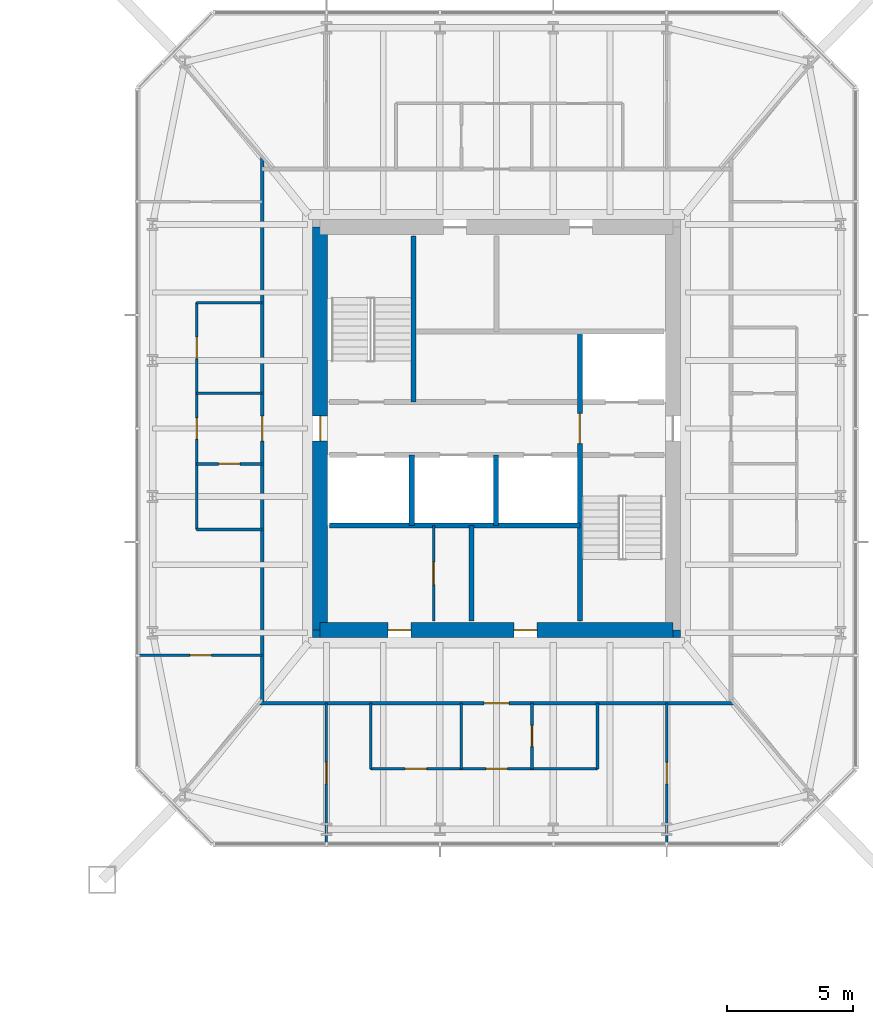
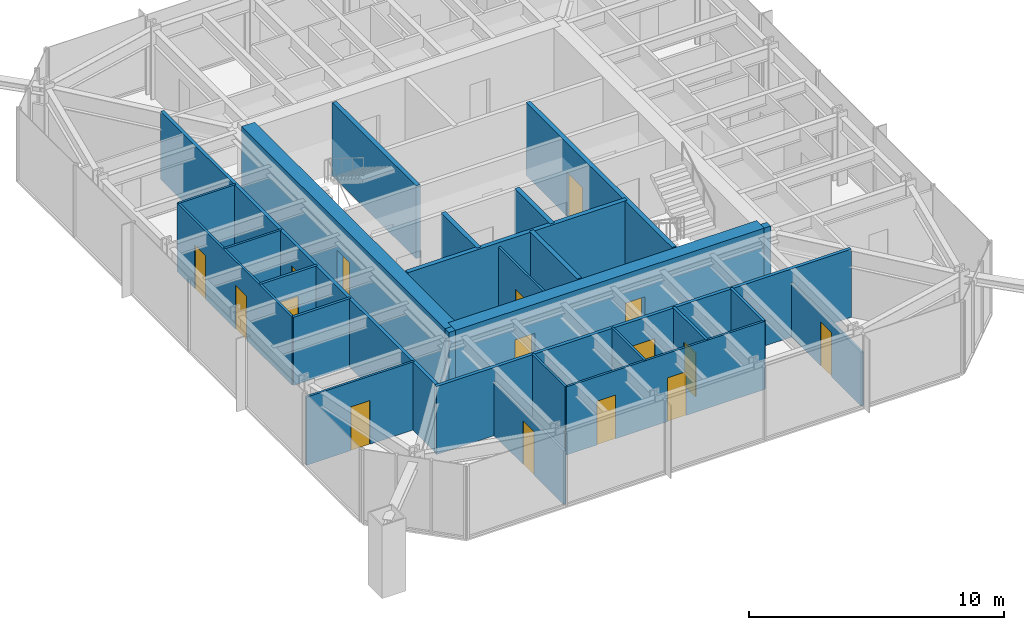
# One storey, part 17 of 25: 26 walls, 16 doors, 16 openings.
"""IFC4 building model written with IfcOpenShell, lengths in metres."""

from ifc_helpers import new_model, si_unit, direction, frame, frame_2d, origin, place, context, subcontext, project, spatial, rectangle, extrude, material, layer, layer_set, type_object, element, fill, save


model = new_model("IFC4")

# Units and contexts
model_context = context("Model", 3, precision=1e-05, world=origin(), true_north=direction((0.0, 1.0)))
body_context = subcontext(model_context, "Body", "Model", "MODEL_VIEW")
ifc_project = project(units=[si_unit("LENGTHUNIT", "METRE"), si_unit("AREAUNIT", "SQUARE_METRE"), si_unit("VOLUMEUNIT", "CUBIC_METRE"), si_unit("PLANEANGLEUNIT", "RADIAN"), si_unit("MASSUNIT", "GRAM", prefix="KILO")], contexts=[model_context])

# Site, building, storey
site_placement = place(None, origin())
site = spatial("IfcSite", under=ifc_project, at=site_placement, CompositionType="ELEMENT")
building_placement = place(site_placement, origin())
building = spatial("IfcBuilding", under=site, at=building_placement, Name="Iwan Alto Co-Living Towers", CompositionType="ELEMENT")
storey_placement = place(building_placement, frame((0.0, 0.0, 119.0)))
storey = spatial("IfcBuildingStorey", under=building, at=storey_placement, Name="L32", CompositionType="ELEMENT", Elevation=119.0)

# Wall, opening, door
ifc_material_1 = material(Name="Gypsum board")
ifc_layer_1 = layer(ifc_material_1, 0.02490234375, Name="Board", Category="Finish")
ifc_material_2 = material(Name="Steel ASTM A1003 ST33H cold-formed studs", Category="steel")
ifc_layer_2 = layer(ifc_material_2, 0.10009765625, Name="Studs", Category="Framing")
ifc_layer_3 = layer(ifc_material_1, 0.02490234375, Name="Board", Category="Finish")
ifc_layer_set_1 = layer_set([ifc_layer_1, ifc_layer_2, ifc_layer_3], Name="CORRIDOR WALL 150")
wall_type_1 = type_object("IfcWallType", Name="CORRIDOR WALL 150", PredefinedType="PARTITIONING", material=ifc_layer_set_1)
wall_1_placement = place(storey_placement, frame((53.5859375, -10.89990234375, 0.0), z_axis=(0.0, 0.0, 1.0), x_axis=(1.0, 0.0, 0.0)))
wall_1 = element("IfcWall", 1, at=wall_1_placement, inside=storey, type_object=wall_type_1, Name="Partition L32", PredefinedType="PARTITIONING", context=body_context, shape_type="SweptSolid", body=[
    extrude(rectangle(XDim=18.828125, YDim=0.14990234375, at=frame_2d((9.4140625, 0.0))), origin(), (0.0, 0.0, 1.0), 3.27001953125),
])
opening_1_placement = place(wall_1_placement, frame((8.9140625, 0.0, 0.0)))
opening_1 = element("IfcOpeningElement", 2, at=opening_1_placement, cuts=wall_1, Name="Opening D3", PredefinedType="OPENING", context=body_context, shape_type="SweptSolid", body=[
    extrude(rectangle(XDim=1.0, YDim=2.10009765625, at=frame_2d((0.5, 1.050048828125))), frame((0.0, 0.0849609375, 0.0), z_axis=(0.0, -1.0, 0.0), x_axis=(1.0, 0.0, 0.0)), (0.0, 0.0, 1.0), 0.169921875),
])
ifc_material_3 = material(Name="Steel frame with timber leaf", Category="steel")
door_type_1 = type_object("IfcDoorType", Name="FLAT ENTRANCE DOOR FD30S 1000X2100", OperationType="SINGLE_SWING_LEFT", PredefinedType="DOOR", material=ifc_material_3)
door_1_placement = place(opening_1_placement, frame((1.0, 0.0, 0.0), z_axis=(0.0, 0.0, 1.0), x_axis=(-1.0, 0.0, 0.0)))
door_1 = element("IfcDoor", 3, at=door_1_placement, inside=storey, type_object=door_type_1, Name="Apartment foyer door L32", OperationType="SINGLE_SWING_RIGHT", OverallHeight=2.10009765625, OverallWidth=1.0, PredefinedType="DOOR", context=body_context, shape_type="SweptSolid", body=[
    extrude(rectangle(XDim=1.0, YDim=2.10009765625, at=frame_2d((0.5, 1.050048828125))), frame((0.0, 0.02490234375, 0.0), z_axis=(0.0, -1.0, 0.0), x_axis=(1.0, 0.0, 0.0)), (0.0, 0.0, 1.0), 0.050048828125),
])
fill(opening_1, door_1)

wall_2_placement = place(storey_placement, frame((53.699951171875, -10.89990234375, 0.0), z_axis=(0.0, 0.0, 1.0), x_axis=(0.0, 1.0, 0.0)))
wall_2 = element("IfcWall", 4, at=wall_2_placement, inside=storey, type_object=wall_type_1, Name="Partition L32", PredefinedType="PARTITIONING", context=body_context, shape_type="SweptSolid", body=[
    extrude(rectangle(XDim=21.66796875, YDim=0.14990234375, at=frame_2d((10.833984375, 0.0))), origin(), (0.0, 0.0, 1.0), 3.27001953125),
])
opening_2_placement = place(wall_2_placement, frame((10.39990234375, 0.0, 0.0)))
opening_2 = element("IfcOpeningElement", 5, at=opening_2_placement, cuts=wall_2, Name="Opening D3", PredefinedType="OPENING", context=body_context, shape_type="SweptSolid", body=[
    extrude(rectangle(XDim=1.0, YDim=2.10009765625, at=frame_2d((0.5, 1.050048828125))), frame((0.0, 0.0849609375, 0.0), z_axis=(0.0, -1.0, 0.0), x_axis=(1.0, 0.0, 0.0)), (0.0, 0.0, 1.0), 0.169921875),
])
door_2_placement = place(opening_2_placement, origin())
door_2 = element("IfcDoor", 6, at=door_2_placement, inside=storey, type_object=door_type_1, Name="Apartment foyer door L32", OperationType="SINGLE_SWING_LEFT", OverallHeight=2.10009765625, OverallWidth=1.0, PredefinedType="DOOR", context=body_context, shape_type="SweptSolid", body=[
    extrude(rectangle(XDim=1.0, YDim=2.10009765625, at=frame_2d((0.5, 1.050048828125))), frame((0.0, 0.02490234375, 0.0), z_axis=(0.0, -1.0, 0.0), x_axis=(1.0, 0.0, 0.0)), (0.0, 0.0, 1.0), 0.050048828125),
])
fill(opening_2, door_2)

# Wall, openings, doors
ifc_layer_4 = layer(ifc_material_1, 0.012451171875, Name="Board", Category="Finish")
ifc_layer_5 = layer(ifc_material_2, 0.074951171875, Name="Studs", Category="Framing")
ifc_layer_6 = layer(ifc_material_1, 0.012451171875, Name="Board", Category="Finish")
ifc_layer_set_2 = layer_set([ifc_layer_4, ifc_layer_5, ifc_layer_6], Name="PARTITION 100")
wall_type_2 = type_object("IfcWallType", Name="PARTITION 100", PredefinedType="PARTITIONING", material=ifc_layer_set_2)
wall_3_placement = place(storey_placement, frame((58.0, -13.5, 0.0), z_axis=(0.0, 0.0, 1.0), x_axis=(1.0, 0.0, 0.0)))
wall_3 = element("IfcWall", 7, at=wall_3_placement, inside=storey, type_object=wall_type_2, Name="Partition L32", PredefinedType="PARTITIONING", context=body_context, shape_type="SweptSolid", body=[
    extrude(rectangle(XDim=9.0, YDim=0.10009765625, at=frame_2d((4.5, 0.0))), origin(), (0.0, 0.0, 1.0), 3.27001953125),
])
opening_3_placement = place(wall_3_placement, frame((1.375, 0.0, 0.0)))
opening_3 = element("IfcOpeningElement", 8, at=opening_3_placement, cuts=wall_3, Name="Opening D2", PredefinedType="OPENING", context=body_context, shape_type="SweptSolid", body=[
    extrude(rectangle(XDim=0.85009765625, YDim=2.10009765625, at=frame_2d((0.425048828125, 1.050048828125))), frame((0.0, 0.06005859375, 0.0), z_axis=(0.0, -1.0, 0.0), x_axis=(1.0, 0.0, 0.0)), (0.0, 0.0, 1.0), 0.1201171875),
])
opening_4_placement = place(wall_3_placement, frame((4.574951171875, 0.0, 0.0)))
opening_4 = element("IfcOpeningElement", 9, at=opening_4_placement, cuts=wall_3, Name="Opening D2", PredefinedType="OPENING", context=body_context, shape_type="SweptSolid", body=[
    extrude(rectangle(XDim=0.85009765625, YDim=2.10009765625, at=frame_2d((0.425048828125, 1.050048828125))), frame((0.0, 0.06005859375, 0.0), z_axis=(0.0, -1.0, 0.0), x_axis=(1.0, 0.0, 0.0)), (0.0, 0.0, 1.0), 0.1201171875),
])
ifc_material_4 = material(Name="Timber leaf in steel frame", Category="steel")
door_type_2 = type_object("IfcDoorType", Name="ROOM DOOR 850X2100", OperationType="SINGLE_SWING_LEFT", PredefinedType="DOOR", material=ifc_material_4)
door_3_placement = place(opening_3_placement, frame((0.85009765625, 0.0, 0.0), z_axis=(0.0, 0.0, 1.0), x_axis=(-1.0, 0.0, 0.0)))
door_3 = element("IfcDoor", 10, at=door_3_placement, inside=storey, type_object=door_type_2, Name="Kitchen door L32", OperationType="SINGLE_SWING_RIGHT", OverallHeight=2.10009765625, OverallWidth=0.85009765625, PredefinedType="DOOR", context=body_context, shape_type="SweptSolid", body=[
    extrude(rectangle(XDim=0.85009765625, YDim=2.10009765625, at=frame_2d((0.425048828125, 1.050048828125))), frame((0.0, 0.02490234375, 0.0), z_axis=(0.0, -1.0, 0.0), x_axis=(1.0, 0.0, 0.0)), (0.0, 0.0, 1.0), 0.050048828125),
])
fill(opening_3, door_3)
door_4_placement = place(opening_4_placement, frame((0.85009765625, 0.0, 0.0), z_axis=(0.0, 0.0, 1.0), x_axis=(-1.0, 0.0, 0.0)))
door_4 = element("IfcDoor", 11, at=door_4_placement, inside=storey, type_object=door_type_2, Name="Apartment foyer door L32", OperationType="SINGLE_SWING_RIGHT", OverallHeight=2.10009765625, OverallWidth=0.85009765625, PredefinedType="DOOR", context=body_context, shape_type="SweptSolid", body=[
    extrude(rectangle(XDim=0.85009765625, YDim=2.10009765625, at=frame_2d((0.425048828125, 1.050048828125))), frame((0.0, 0.02490234375, 0.0), z_axis=(0.0, -1.0, 0.0), x_axis=(1.0, 0.0, 0.0)), (0.0, 0.0, 1.0), 0.050048828125),
])
fill(opening_4, door_4)

# Wall, opening, door
wall_4_placement = place(storey_placement, frame((48.81005859375, -9.0, 0.0), z_axis=(0.0, 0.0, 1.0), x_axis=(1.0, 0.0, 0.0)))
wall_4 = element("IfcWall", 12, at=wall_4_placement, inside=storey, type_object=wall_type_2, Name="Partition L32", PredefinedType="PARTITIONING", context=body_context, shape_type="SweptSolid", body=[
    extrude(rectangle(XDim=4.889892578125, YDim=0.10009765625, at=frame_2d((2.44482421875, 0.0))), origin(), (0.0, 0.0, 1.0), 3.27001953125),
])
opening_5_placement = place(wall_4_placement, frame((2.02001953125, 0.0, 0.0)))
opening_5 = element("IfcOpeningElement", 13, at=opening_5_placement, cuts=wall_4, Name="Opening D2", PredefinedType="OPENING", context=body_context, shape_type="SweptSolid", body=[
    extrude(rectangle(XDim=0.85009765625, YDim=2.10009765625, at=frame_2d((0.425048828125, 1.050048828125))), frame((0.0, 0.06005859375, 0.0), z_axis=(0.0, -1.0, 0.0), x_axis=(1.0, 0.0, 0.0)), (0.0, 0.0, 1.0), 0.1201171875),
])
door_5_placement = place(opening_5_placement, origin())
door_5 = element("IfcDoor", 14, at=door_5_placement, inside=storey, type_object=door_type_2, Name="Study door L32", OperationType="SINGLE_SWING_RIGHT", OverallHeight=2.10009765625, OverallWidth=0.85009765625, PredefinedType="DOOR", context=body_context, shape_type="SweptSolid", body=[
    extrude(rectangle(XDim=0.85009765625, YDim=2.10009765625, at=frame_2d((0.425048828125, 1.050048828125))), frame((0.0, 0.02490234375, 0.0), z_axis=(0.0, -1.0, 0.0), x_axis=(1.0, 0.0, 0.0)), (0.0, 0.0, 1.0), 0.050048828125),
])
fill(opening_5, door_5)

# Walls
for number, where, z_axis, x_axis, name in (
    (15, (51.10009765625, 1.39990234375, 0.0), (0.0, 0.0, 1.0), (1.0, 0.0, 0.0), "Partition L32"),
    (16, (51.10009765625, 5.0, 0.0), (0.0, 0.0, 1.0), (1.0, 0.0, 0.0), "Partition L32"),
):
    element("IfcWall", number, at=place(storey_placement, frame(where, z_axis=z_axis, x_axis=x_axis)), inside=storey, type_object=wall_type_2, Name=name, PredefinedType="PARTITIONING", context=body_context, shape_type="SweptSolid", body=[
        extrude(rectangle(XDim=2.599853515625, YDim=0.10009765625, at=frame_2d((1.2998046875, 0.0))), origin(), (0.0, 0.0, 1.0), 3.27001953125),
    ])

# Wall, opening, door
wall_5_placement = place(storey_placement, frame((69.75, -16.43994140625, 0.0), z_axis=(0.0, 0.0, 1.0), x_axis=(0.0, 1.0, 0.0)))
wall_5 = element("IfcWall", 17, at=wall_5_placement, inside=storey, type_object=wall_type_2, Name="Partition L32", PredefinedType="PARTITIONING", context=body_context, shape_type="SweptSolid", body=[
    extrude(rectangle(XDim=5.5400390625, YDim=0.10009765625, at=frame_2d((2.77001953125, 0.0))), origin(), (0.0, 0.0, 1.0), 2.586669921875),
])
opening_6_placement = place(wall_5_placement, frame((2.344970703125, 0.0, 0.0)))
opening_6 = element("IfcOpeningElement", 18, at=opening_6_placement, cuts=wall_5, Name="Opening D2", PredefinedType="OPENING", context=body_context, shape_type="SweptSolid", body=[
    extrude(rectangle(XDim=0.85009765625, YDim=2.10009765625, at=frame_2d((0.425048828125, 1.050048828125))), frame((0.0, 0.06005859375, 0.0), z_axis=(0.0, -1.0, 0.0), x_axis=(1.0, 0.0, 0.0)), (0.0, 0.0, 1.0), 0.1201171875),
])
door_6_placement = place(opening_6_placement, origin())
door_6 = element("IfcDoor", 19, at=door_6_placement, inside=storey, type_object=door_type_2, Name="Bedroom door L32", OperationType="SINGLE_SWING_RIGHT", OverallHeight=2.10009765625, OverallWidth=0.85009765625, PredefinedType="DOOR", context=body_context, shape_type="SweptSolid", body=[
    extrude(rectangle(XDim=0.85009765625, YDim=2.10009765625, at=frame_2d((0.425048828125, 1.050048828125))), frame((0.0, 0.02490234375, 0.0), z_axis=(0.0, -1.0, 0.0), x_axis=(1.0, 0.0, 0.0)), (0.0, 0.0, 1.0), 0.050048828125),
])
fill(opening_6, door_6)

# Wall
wall_6_placement = place(storey_placement, frame((61.60009765625, -13.5, 0.0), z_axis=(0.0, 0.0, 1.0), x_axis=(0.0, 1.0, 0.0)))
element("IfcWall", 20, at=wall_6_placement, inside=storey, type_object=wall_type_2, Name="Partition L32", PredefinedType="PARTITIONING", context=body_context, shape_type="SweptSolid", body=[
    extrude(rectangle(XDim=2.60009765625, YDim=0.10009765625, at=frame_2d((1.300048828125, 0.0))), origin(), (0.0, 0.0, 1.0), 3.27001953125),
])

# Wall, opening, door
wall_7_placement = place(storey_placement, frame((60.5, -7.639892578125, 0.0), z_axis=(0.0, 0.0, 1.0), x_axis=(0.0, 1.0, 0.0)))
wall_7 = element("IfcWall", 21, at=wall_7_placement, inside=storey, type_object=wall_type_2, Name="Partition L32", PredefinedType="PARTITIONING", context=body_context, shape_type="SweptSolid", body=[
    extrude(rectangle(XDim=3.789794921875, YDim=0.10009765625, at=frame_2d((1.89501953125, 0.0))), origin(), (0.0, 0.0, 1.0), 3.300048828125),
])
opening_7_placement = place(wall_7_placement, frame((1.445068359375, 0.0, 0.0)))
opening_7 = element("IfcOpeningElement", 22, at=opening_7_placement, cuts=wall_7, Name="Opening D16", PredefinedType="OPENING", context=body_context, shape_type="SweptSolid", body=[
    extrude(rectangle(XDim=0.89990234375, YDim=2.10009765625, at=frame_2d((0.449951171875, 1.050048828125))), frame((0.0, 0.06005859375, 0.0), z_axis=(0.0, -1.0, 0.0), x_axis=(1.0, 0.0, 0.0)), (0.0, 0.0, 1.0), 0.1201171875),
])
ifc_material_5 = material(Name="Timber leaf in steel frame", Category="steel")
door_type_3 = type_object("IfcDoorType", Name="CUPBOARD SLIDING DOOR 900X2100", OperationType="SLIDING_TO_LEFT", PredefinedType="DOOR", material=ifc_material_5)
door_7_placement = place(opening_7_placement, origin())
door_7 = element("IfcDoor", 23, at=door_7_placement, inside=storey, type_object=door_type_3, Name="Cleaner's store door L32", OperationType="SLIDING_TO_LEFT", OverallHeight=2.10009765625, OverallWidth=0.89990234375, PredefinedType="DOOR", context=body_context, shape_type="SweptSolid", body=[
    extrude(rectangle(XDim=0.89990234375, YDim=2.10009765625, at=frame_2d((0.449951171875, 1.050048828125))), frame((0.0, 0.02490234375, 0.0), z_axis=(0.0, -1.0, 0.0), x_axis=(1.0, 0.0, 0.0)), (0.0, 0.0, 1.0), 0.050048828125),
])
fill(opening_7, door_7)

# Wall
wall_8_placement = place(storey_placement, frame((58.0, -13.5, 0.0), z_axis=(0.0, 0.0, 1.0), x_axis=(0.0, 1.0, 0.0)))
element("IfcWall", 24, at=wall_8_placement, inside=storey, type_object=wall_type_2, Name="Partition L32", PredefinedType="PARTITIONING", context=body_context, shape_type="SweptSolid", body=[
    extrude(rectangle(XDim=2.60009765625, YDim=0.10009765625, at=frame_2d((1.300048828125, 0.0))), origin(), (0.0, 0.0, 1.0), 3.27001953125),
])

# Wall, opening, door
wall_9_placement = place(storey_placement, frame((56.25, -16.43994140625, 0.0), z_axis=(0.0, 0.0, 1.0), x_axis=(0.0, 1.0, 0.0)))
wall_9 = element("IfcWall", 25, at=wall_9_placement, inside=storey, type_object=wall_type_2, Name="Partition L32", PredefinedType="PARTITIONING", context=body_context, shape_type="SweptSolid", body=[
    extrude(rectangle(XDim=5.5400390625, YDim=0.10009765625, at=frame_2d((2.77001953125, 0.0))), origin(), (0.0, 0.0, 1.0), 2.586669921875),
])
opening_8_placement = place(wall_9_placement, frame((2.344970703125, 0.0, 0.0)))
opening_8 = element("IfcOpeningElement", 26, at=opening_8_placement, cuts=wall_9, Name="Opening D2", PredefinedType="OPENING", context=body_context, shape_type="SweptSolid", body=[
    extrude(rectangle(XDim=0.85009765625, YDim=2.10009765625, at=frame_2d((0.425048828125, 1.050048828125))), frame((0.0, 0.06005859375, 0.0), z_axis=(0.0, -1.0, 0.0), x_axis=(1.0, 0.0, 0.0)), (0.0, 0.0, 1.0), 0.1201171875),
])
door_8_placement = place(opening_8_placement, frame((0.85009765625, 0.0, 0.0), z_axis=(0.0, 0.0, 1.0), x_axis=(-1.0, 0.0, 0.0)))
door_8 = element("IfcDoor", 27, at=door_8_placement, inside=storey, type_object=door_type_2, Name="Family room door L32", OperationType="SINGLE_SWING_LEFT", OverallHeight=2.10009765625, OverallWidth=0.85009765625, PredefinedType="DOOR", context=body_context, shape_type="SweptSolid", body=[
    extrude(rectangle(XDim=0.85009765625, YDim=2.10009765625, at=frame_2d((0.425048828125, 1.050048828125))), frame((0.0, 0.02490234375, 0.0), z_axis=(0.0, -1.0, 0.0), x_axis=(1.0, 0.0, 0.0)), (0.0, 0.0, 1.0), 0.050048828125),
])
fill(opening_8, door_8)

# Wall, openings, doors
wall_10_placement = place(storey_placement, frame((51.10009765625, -4.0, 0.0), z_axis=(0.0, 0.0, 1.0), x_axis=(0.0, 1.0, 0.0)))
wall_10 = element("IfcWall", 28, at=wall_10_placement, inside=storey, type_object=wall_type_2, Name="Partition L32", PredefinedType="PARTITIONING", context=body_context, shape_type="SweptSolid", body=[
    extrude(rectangle(XDim=9.0, YDim=0.10009765625, at=frame_2d((4.5, 0.0))), origin(), (0.0, 0.0, 1.0), 3.27001953125),
])
opening_9_placement = place(wall_10_placement, frame((6.77490234375, 0.0, 0.0)))
opening_9 = element("IfcOpeningElement", 29, at=opening_9_placement, cuts=wall_10, Name="Opening D2", PredefinedType="OPENING", context=body_context, shape_type="SweptSolid", body=[
    extrude(rectangle(XDim=0.85009765625, YDim=2.10009765625, at=frame_2d((0.425048828125, 1.050048828125))), frame((0.0, 0.06005859375, 0.0), z_axis=(0.0, -1.0, 0.0), x_axis=(1.0, 0.0, 0.0)), (0.0, 0.0, 1.0), 0.1201171875),
])
opening_10_placement = place(wall_10_placement, frame((3.574951171875, 0.0, 0.0)))
opening_10 = element("IfcOpeningElement", 30, at=opening_10_placement, cuts=wall_10, Name="Opening D2", PredefinedType="OPENING", context=body_context, shape_type="SweptSolid", body=[
    extrude(rectangle(XDim=0.85009765625, YDim=2.10009765625, at=frame_2d((0.425048828125, 1.050048828125))), frame((0.0, 0.06005859375, 0.0), z_axis=(0.0, -1.0, 0.0), x_axis=(1.0, 0.0, 0.0)), (0.0, 0.0, 1.0), 0.1201171875),
])
door_9_placement = place(opening_9_placement, origin())
door_9 = element("IfcDoor", 31, at=door_9_placement, inside=storey, type_object=door_type_2, Name="Kitchen door L32", OperationType="SINGLE_SWING_RIGHT", OverallHeight=2.10009765625, OverallWidth=0.85009765625, PredefinedType="DOOR", context=body_context, shape_type="SweptSolid", body=[
    extrude(rectangle(XDim=0.85009765625, YDim=2.10009765625, at=frame_2d((0.425048828125, 1.050048828125))), frame((0.0, 0.02490234375, 0.0), z_axis=(0.0, -1.0, 0.0), x_axis=(1.0, 0.0, 0.0)), (0.0, 0.0, 1.0), 0.050048828125),
])
fill(opening_9, door_9)
door_10_placement = place(opening_10_placement, origin())
door_10 = element("IfcDoor", 32, at=door_10_placement, inside=storey, type_object=door_type_2, Name="Apartment foyer door L32", OperationType="SINGLE_SWING_LEFT", OverallHeight=2.10009765625, OverallWidth=0.85009765625, PredefinedType="DOOR", context=body_context, shape_type="SweptSolid", body=[
    extrude(rectangle(XDim=0.85009765625, YDim=2.10009765625, at=frame_2d((0.425048828125, 1.050048828125))), frame((0.0, 0.02490234375, 0.0), z_axis=(0.0, -1.0, 0.0), x_axis=(1.0, 0.0, 0.0)), (0.0, 0.0, 1.0), 0.050048828125),
])
fill(opening_10, door_10)

# Wall
ifc_material_6 = material(Name="Concrete f'c 70 MPa", Category="concrete")
ifc_layer_7 = layer(ifc_material_6, 0.199951171875)
ifc_layer_set_3 = layer_set([ifc_layer_7], Name="SHAFT WALL 200")
wall_type_3 = type_object("IfcWallType", Name="SHAFT WALL 200", PredefinedType="SOLIDWALL", material=ifc_layer_set_3)
wall_11_placement = place(storey_placement, frame((56.360107421875, -3.85009765625, 0.0), z_axis=(0.0, 0.0, 1.0), x_axis=(1.0, 0.0, 0.0)))
element("IfcWall", 33, at=wall_11_placement, inside=storey, type_object=wall_type_3, Name="Shaft wall L32", PredefinedType="SOLIDWALL", context=body_context, shape_type="SweptSolid", body=[
    extrude(rectangle(XDim=9.93994140625, YDim=0.199951171875, at=frame_2d((4.969970703125, 0.0))), origin(), (0.0, 0.0, 1.0), 3.5),
])

# Wall, opening, door
wall_12_placement = place(storey_placement, frame((66.300048828125, -7.639892578125, 0.0), z_axis=(0.0, 0.0, 1.0), x_axis=(0.0, 1.0, 0.0)))
wall_12 = element("IfcWall", 34, at=wall_12_placement, inside=storey, type_object=wall_type_3, Name="Shaft wall L32", PredefinedType="SOLIDWALL", context=body_context, shape_type="SweptSolid", body=[
    extrude(rectangle(XDim=11.489990234375, YDim=0.199951171875, at=frame_2d((5.7451171875, 0.0))), origin(), (0.0, 0.0, 1.0), 3.5),
])
opening_11_placement = place(wall_12_placement, frame((7.0400390625, 0.0, 0.0)))
opening_11 = element("IfcOpeningElement", 35, at=opening_11_placement, cuts=wall_12, Name="Opening D6", PredefinedType="OPENING", context=body_context, shape_type="SweptSolid", body=[
    extrude(rectangle(XDim=1.199951171875, YDim=2.10009765625, at=frame_2d((0.60009765625, 1.050048828125))), frame((0.0, 0.10986328125, 0.0), z_axis=(0.0, -1.0, 0.0), x_axis=(1.0, 0.0, 0.0)), (0.0, 0.0, 1.0), 0.219970703125),
])
ifc_material_7 = material(Name="Steel frame with timber leaf", Category="steel")
door_type_4 = type_object("IfcDoorType", Name="LOBBY DOOR FD120S 1200X2100", OperationType="SINGLE_SWING_LEFT", PredefinedType="DOOR", material=ifc_material_7)
door_11_placement = place(opening_11_placement, frame((1.199951171875, 0.0, 0.0), z_axis=(0.0, 0.0, 1.0), x_axis=(-1.0, 0.0, 0.0)))
door_11 = element("IfcDoor", 36, at=door_11_placement, inside=storey, type_object=door_type_4, Name="Firefighting lobby door L32", OperationType="SINGLE_SWING_RIGHT", OverallHeight=2.10009765625, OverallWidth=1.199951171875, PredefinedType="DOOR", context=body_context, shape_type="SweptSolid", body=[
    extrude(rectangle(XDim=1.199951171875, YDim=2.10009765625, at=frame_2d((0.60009765625, 1.050048828125))), frame((0.0, 0.02490234375, 0.0), z_axis=(0.0, -1.0, 0.0), x_axis=(1.0, 0.0, 0.0)), (0.0, 0.0, 1.0), 0.050048828125),
])
fill(opening_11, door_11)

# Walls
wall_13_placement = place(storey_placement, frame((62.967041015625, -3.85009765625, 0.0), z_axis=(0.0, 0.0, 1.0), x_axis=(0.0, 1.0, 0.0)))
element("IfcWall", 37, at=wall_13_placement, inside=storey, type_object=wall_type_3, Name="Shaft wall L32", PredefinedType="SOLIDWALL", context=body_context, shape_type="SweptSolid", body=[
    extrude(rectangle(XDim=2.800048828125, YDim=0.199951171875, at=frame_2d((1.39990234375, 0.0))), origin(), (0.0, 0.0, 1.0), 3.5),
])
wall_14_placement = place(storey_placement, frame((62.0, -7.639892578125, 0.0), z_axis=(0.0, 0.0, 1.0), x_axis=(0.0, 1.0, 0.0)))
element("IfcWall", 38, at=wall_14_placement, inside=storey, type_object=wall_type_3, Name="Shaft wall L32", PredefinedType="SOLIDWALL", context=body_context, shape_type="SweptSolid", body=[
    extrude(rectangle(XDim=3.789794921875, YDim=0.199951171875, at=frame_2d((1.89501953125, 0.0))), origin(), (0.0, 0.0, 1.0), 3.5),
])
wall_15_placement = place(storey_placement, frame((59.699951171875, 1.050048828125, 0.0), z_axis=(0.0, 0.0, 1.0), x_axis=(0.0, 1.0, 0.0)))
element("IfcWall", 39, at=wall_15_placement, inside=storey, type_object=wall_type_3, Name="Shaft wall L32", PredefinedType="SOLIDWALL", context=body_context, shape_type="SweptSolid", body=[
    extrude(rectangle(XDim=6.58984375, YDim=0.199951171875, at=frame_2d((3.294921875, 0.0))), origin(), (0.0, 0.0, 1.0), 3.5),
])
wall_16_placement = place(storey_placement, frame((59.633056640625, -3.85009765625, 0.0), z_axis=(0.0, 0.0, 1.0), x_axis=(0.0, 1.0, 0.0)))
element("IfcWall", 40, at=wall_16_placement, inside=storey, type_object=wall_type_3, Name="Shaft wall L32", PredefinedType="SOLIDWALL", context=body_context, shape_type="SweptSolid", body=[
    extrude(rectangle(XDim=2.800048828125, YDim=0.199951171875, at=frame_2d((1.39990234375, 0.0))), origin(), (0.0, 0.0, 1.0), 3.5),
])
ifc_material_8 = material(Name="Concrete f'c 70 MPa", Category="concrete")
ifc_layer_8 = layer(ifc_material_8, 0.300048828125)
ifc_layer_set_4 = layer_set([ifc_layer_8], Name="T2 CORE CORNER FILL 300")
wall_type_4 = type_object("IfcWallType", Name="T2 CORE CORNER FILL 300", PredefinedType="SOLIDWALL", material=ifc_layer_set_4)
for number, where, z_axis, x_axis, name in (
    (41, (55.699951171875, -8.14990234375, 0.0), (0.0, 0.0, 1.0), (1.0, 0.0, 0.0), "T2 core corner SW L32"),
    (42, (70.0, -8.14990234375, 0.0), (0.0, 0.0, 1.0), (1.0, 0.0, 0.0), "T2 core corner SE L32"),
):
    element("IfcWall", number, at=place(storey_placement, frame(where, z_axis=z_axis, x_axis=x_axis)), inside=storey, type_object=wall_type_4, Name=name, PredefinedType="SOLIDWALL", context=body_context, shape_type="SweptSolid", body=[
        extrude(rectangle(XDim=0.300048828125, YDim=0.300048828125, at=frame_2d((0.14990234375, 0.0))), origin(), (0.0, 0.0, 1.0), 3.5),
    ])

# Wall, openings, doors
ifc_material_9 = material(Name="Concrete f'c 70 MPa", Category="concrete")
ifc_layer_9 = layer(ifc_material_9, 0.60009765625)
ifc_layer_set_5 = layer_set([ifc_layer_9], Name="T2 CORE WALL 600")
wall_type_5 = type_object("IfcWallType", Name="T2 CORE WALL 600", PredefinedType="SHEAR", material=ifc_layer_set_5)
wall_17_placement = place(storey_placement, frame((56.0, -8.0, 0.0), z_axis=(0.0, 0.0, 1.0), x_axis=(1.0, 0.0, 0.0)))
wall_17 = element("IfcWall", 43, at=wall_17_placement, inside=storey, type_object=wall_type_5, Name="T2 core wall S L32", PredefinedType="SHEAR", context=body_context, shape_type="SweptSolid", body=[
    extrude(rectangle(XDim=14.0, YDim=0.60009765625, at=frame_2d((7.0, 0.0))), origin(), (0.0, 0.0, 1.0), 3.5),
])
opening_12_placement = place(wall_17_placement, frame((2.699951171875, 0.0, 0.0)))
opening_12 = element("IfcOpeningElement", 44, at=opening_12_placement, cuts=wall_17, Name="Opening D8", PredefinedType="OPENING", context=body_context, shape_type="SweptSolid", body=[
    extrude(rectangle(XDim=0.89990234375, YDim=2.10009765625, at=frame_2d((0.449951171875, 1.050048828125))), frame((0.0, 0.31005859375, 0.0), z_axis=(0.0, -1.0, 0.0), x_axis=(1.0, 0.0, 0.0)), (0.0, 0.0, 1.0), 0.6201171875),
])
opening_13_placement = place(wall_17_placement, frame((7.699951171875, 0.0, 0.0)))
opening_13 = element("IfcOpeningElement", 45, at=opening_13_placement, cuts=wall_17, Name="Opening D8", PredefinedType="OPENING", context=body_context, shape_type="SweptSolid", body=[
    extrude(rectangle(XDim=0.89990234375, YDim=2.10009765625, at=frame_2d((0.449951171875, 1.050048828125))), frame((0.0, 0.31005859375, 0.0), z_axis=(0.0, -1.0, 0.0), x_axis=(1.0, 0.0, 0.0)), (0.0, 0.0, 1.0), 0.6201171875),
])
ifc_material_10 = material(Name="Steel frame with timber leaf", Category="steel")
door_type_5 = type_object("IfcDoorType", Name="RISER DOOR FD120 900X2100", OperationType="SINGLE_SWING_LEFT", PredefinedType="DOOR", material=ifc_material_10)
door_12_placement = place(opening_12_placement, origin())
door_12 = element("IfcDoor", 46, at=door_12_placement, inside=storey, type_object=door_type_5, Name="Refuse room core door L32", OperationType="SINGLE_SWING_RIGHT", OverallHeight=2.10009765625, OverallWidth=0.89990234375, PredefinedType="DOOR", context=body_context, shape_type="SweptSolid", body=[
    extrude(rectangle(XDim=0.89990234375, YDim=2.10009765625, at=frame_2d((0.449951171875, 1.050048828125))), frame((0.0, 0.02490234375, 0.0), z_axis=(0.0, -1.0, 0.0), x_axis=(1.0, 0.0, 0.0)), (0.0, 0.0, 1.0), 0.050048828125),
])
fill(opening_12, door_12)
door_13_placement = place(opening_13_placement, origin())
door_13 = element("IfcDoor", 47, at=door_13_placement, inside=storey, type_object=door_type_5, Name="Telecom riser core door L32", OperationType="SINGLE_SWING_LEFT", OverallHeight=2.10009765625, OverallWidth=0.89990234375, PredefinedType="DOOR", context=body_context, shape_type="SweptSolid", body=[
    extrude(rectangle(XDim=0.89990234375, YDim=2.10009765625, at=frame_2d((0.449951171875, 1.050048828125))), frame((0.0, 0.02490234375, 0.0), z_axis=(0.0, -1.0, 0.0), x_axis=(1.0, 0.0, 0.0)), (0.0, 0.0, 1.0), 0.050048828125),
])
fill(opening_13, door_13)

# Wall, opening, door
wall_18_placement = place(storey_placement, frame((56.0, 8.0, 0.0), z_axis=(0.0, 0.0, 1.0), x_axis=(0.0, -1.0, 0.0)))
wall_18 = element("IfcWall", 48, at=wall_18_placement, inside=storey, type_object=wall_type_5, Name="T2 core wall W L32", PredefinedType="SHEAR", context=body_context, shape_type="SweptSolid", body=[
    extrude(rectangle(XDim=16.0, YDim=0.60009765625, at=frame_2d((8.0, 0.0))), origin(), (0.0, 0.0, 1.0), 3.5),
])
opening_14_placement = place(wall_18_placement, frame((7.5, 0.0, 0.0)))
opening_14 = element("IfcOpeningElement", 49, at=opening_14_placement, cuts=wall_18, Name="Opening D7", PredefinedType="OPENING", context=body_context, shape_type="SweptSolid", body=[
    extrude(rectangle(XDim=1.0, YDim=2.10009765625, at=frame_2d((0.5, 1.050048828125))), frame((0.0, 0.31005859375, 0.0), z_axis=(0.0, -1.0, 0.0), x_axis=(1.0, 0.0, 0.0)), (0.0, 0.0, 1.0), 0.6201171875),
])
ifc_material_11 = material(Name="Steel frame with timber leaf", Category="steel")
door_type_6 = type_object("IfcDoorType", Name="CORE DOOR FD120S 1000X2100", OperationType="SINGLE_SWING_LEFT", PredefinedType="DOOR", material=ifc_material_11)
door_14_placement = place(opening_14_placement, origin())
door_14 = element("IfcDoor", 50, at=door_14_placement, inside=storey, type_object=door_type_6, Name="Lift lobby core door L32", OperationType="SINGLE_SWING_RIGHT", OverallHeight=2.10009765625, OverallWidth=1.0, PredefinedType="DOOR", context=body_context, shape_type="SweptSolid", body=[
    extrude(rectangle(XDim=1.0, YDim=2.10009765625, at=frame_2d((0.5, 1.050048828125))), frame((0.0, 0.02490234375, 0.0), z_axis=(0.0, -1.0, 0.0), x_axis=(1.0, 0.0, 0.0)), (0.0, 0.0, 1.0), 0.050048828125),
])
fill(opening_14, door_14)

# Wall
ifc_material_12 = material(Name="Cement board")
ifc_layer_10 = layer(ifc_material_12, 0.012451171875, Name="Board", Category="Finish")
ifc_layer_11 = layer(ifc_material_2, 0.094970703125, Name="Studs", Category="Framing")
ifc_layer_12 = layer(ifc_material_12, 0.012451171875, Name="Board", Category="Finish")
ifc_layer_set_6 = layer_set([ifc_layer_10, ifc_layer_11, ifc_layer_12], Name="WET AREA PARTITION 120")
wall_type_6 = type_object("IfcWallType", Name="WET AREA PARTITION 120", PredefinedType="PARTITIONING", material=ifc_layer_set_6)
wall_19_placement = place(storey_placement, frame((51.10009765625, -4.0, 0.0), z_axis=(0.0, 0.0, 1.0), x_axis=(1.0, 0.0, 0.0)))
element("IfcWall", 51, at=wall_19_placement, inside=storey, type_object=wall_type_6, Name="Partition L32", PredefinedType="PARTITIONING", context=body_context, shape_type="SweptSolid", body=[
    extrude(rectangle(XDim=2.599853515625, YDim=0.1201171875, at=frame_2d((1.2998046875, 0.0))), origin(), (0.0, 0.0, 1.0), 3.27001953125),
])

# Wall, opening, door
wall_20_placement = place(storey_placement, frame((51.10009765625, -1.39990234375, 0.0), z_axis=(0.0, 0.0, 1.0), x_axis=(1.0, 0.0, 0.0)))
wall_20 = element("IfcWall", 52, at=wall_20_placement, inside=storey, type_object=wall_type_6, Name="Partition L32", PredefinedType="PARTITIONING", context=body_context, shape_type="SweptSolid", body=[
    extrude(rectangle(XDim=2.599853515625, YDim=0.1201171875, at=frame_2d((1.2998046875, 0.0))), origin(), (0.0, 0.0, 1.0), 3.27001953125),
])
opening_15_placement = place(wall_20_placement, frame((0.875, 0.0, 0.0)))
opening_15 = element("IfcOpeningElement", 53, at=opening_15_placement, cuts=wall_20, Name="Opening D2", PredefinedType="OPENING", context=body_context, shape_type="SweptSolid", body=[
    extrude(rectangle(XDim=0.85009765625, YDim=2.10009765625, at=frame_2d((0.425048828125, 1.050048828125))), frame((0.0, 0.070068359375, 0.0), z_axis=(0.0, -1.0, 0.0), x_axis=(1.0, 0.0, 0.0)), (0.0, 0.0, 1.0), 0.14013671875),
])
door_15_placement = place(opening_15_placement, frame((0.85009765625, 0.0, 0.0), z_axis=(0.0, 0.0, 1.0), x_axis=(-1.0, 0.0, 0.0)))
door_15 = element("IfcDoor", 54, at=door_15_placement, inside=storey, type_object=door_type_2, Name="Bathroom door L32", OperationType="SINGLE_SWING_RIGHT", OverallHeight=2.10009765625, OverallWidth=0.85009765625, PredefinedType="DOOR", context=body_context, shape_type="SweptSolid", body=[
    extrude(rectangle(XDim=0.85009765625, YDim=2.10009765625, at=frame_2d((0.425048828125, 1.050048828125))), frame((0.0, 0.02490234375, 0.0), z_axis=(0.0, -1.0, 0.0), x_axis=(1.0, 0.0, 0.0)), (0.0, 0.0, 1.0), 0.050048828125),
])
fill(opening_15, door_15)

# Wall
wall_21_placement = place(storey_placement, frame((67.0, -13.5, 0.0), z_axis=(0.0, 0.0, 1.0), x_axis=(0.0, 1.0, 0.0)))
element("IfcWall", 55, at=wall_21_placement, inside=storey, type_object=wall_type_6, Name="Partition L32", PredefinedType="PARTITIONING", context=body_context, shape_type="SweptSolid", body=[
    extrude(rectangle(XDim=2.60009765625, YDim=0.1201171875, at=frame_2d((1.300048828125, 0.0))), origin(), (0.0, 0.0, 1.0), 3.27001953125),
])

# Wall, opening, door
wall_22_placement = place(storey_placement, frame((64.39990234375, -13.5, 0.0), z_axis=(0.0, 0.0, 1.0), x_axis=(0.0, 1.0, 0.0)))
wall_22 = element("IfcWall", 56, at=wall_22_placement, inside=storey, type_object=wall_type_6, Name="Partition L32", PredefinedType="PARTITIONING", context=body_context, shape_type="SweptSolid", body=[
    extrude(rectangle(XDim=2.60009765625, YDim=0.1201171875, at=frame_2d((1.300048828125, 0.0))), origin(), (0.0, 0.0, 1.0), 3.27001953125),
])
opening_16_placement = place(wall_22_placement, frame((0.875, 0.0, 0.0)))
opening_16 = element("IfcOpeningElement", 57, at=opening_16_placement, cuts=wall_22, Name="Opening D2", PredefinedType="OPENING", context=body_context, shape_type="SweptSolid", body=[
    extrude(rectangle(XDim=0.85009765625, YDim=2.10009765625, at=frame_2d((0.425048828125, 1.050048828125))), frame((0.0, 0.070068359375, 0.0), z_axis=(0.0, -1.0, 0.0), x_axis=(1.0, 0.0, 0.0)), (0.0, 0.0, 1.0), 0.14013671875),
])
door_16_placement = place(opening_16_placement, frame((0.85009765625, 0.0, 0.0), z_axis=(0.0, 0.0, 1.0), x_axis=(-1.0, 0.0, 0.0)))
door_16 = element("IfcDoor", 58, at=door_16_placement, inside=storey, type_object=door_type_2, Name="Bathroom door L32", OperationType="SINGLE_SWING_RIGHT", OverallHeight=2.10009765625, OverallWidth=0.85009765625, PredefinedType="DOOR", context=body_context, shape_type="SweptSolid", body=[
    extrude(rectangle(XDim=0.85009765625, YDim=2.10009765625, at=frame_2d((0.425048828125, 1.050048828125))), frame((0.0, 0.02490234375, 0.0), z_axis=(0.0, -1.0, 0.0), x_axis=(1.0, 0.0, 0.0)), (0.0, 0.0, 1.0), 0.050048828125),
])
fill(opening_16, door_16)

save(model, "model.ifc")
